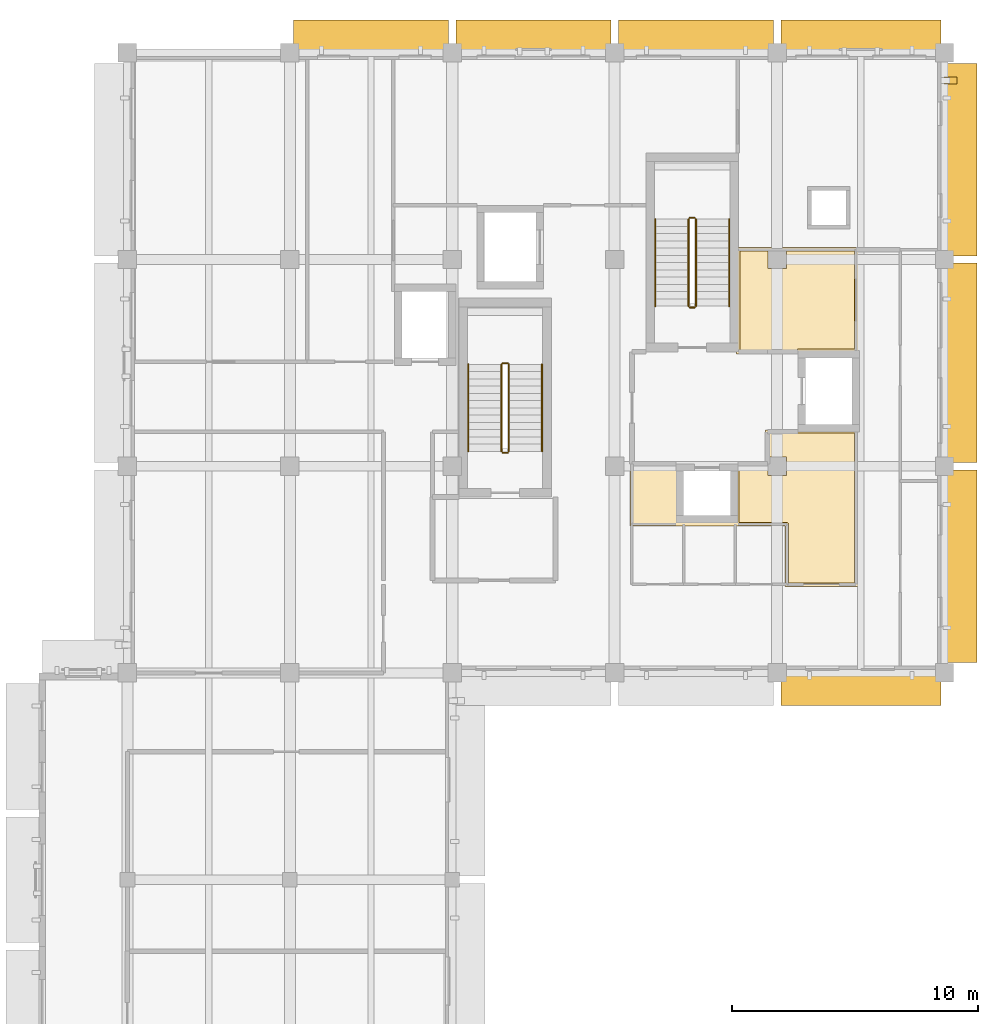
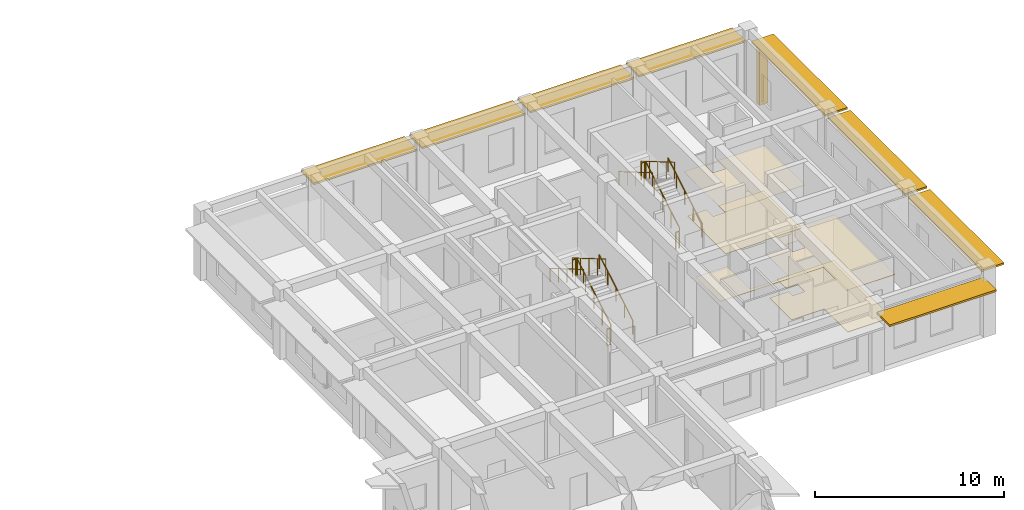
# One storey, part 20 of 20: 12 railings, 9 shading devices, 4 coverings.
"""IFC4 building model written with IfcOpenShell, lengths in metres."""

import ifcopenshell
import ifcopenshell.guid

model = None  # the IFC model being written
_history = None  # IfcOwnerHistory: only IFC2X3 demands one
_inside = {}  # id of a spatial element -> (the spatial element, [elements in it])
_under = {}  # id of a project, library or spatial element -> (it, [spatial elements below it])
_declared = {}  # id of a project -> (the project, [libraries it declares])
_typed = {}  # id of a type object -> (the type object, [elements of that type])
_made_of = {}  # id of a material, layer set ... -> (it, [elements and type objects made of it])


def new_model(schema):
    """Start an empty IFC model of exactly this schema.

    Asked for "IFC4X3", IfcOpenShell would pick the latest addendum, in which some entities
    have other attributes; the version numbers below select the first issue.
    IFC2X3 requires an IfcOwnerHistory on every rooted entity: one is made here for all.
    """
    global model, _history
    if schema == "IFC4X3":
        model = ifcopenshell.file(schema_version=(4, 3, 0, 0))
    else:
        model = ifcopenshell.file(schema=schema)
    _inside.clear()
    _under.clear()
    _declared.clear()
    _typed.clear()
    _made_of.clear()
    _history = None
    if model.schema == "IFC2X3":
        org = make("IfcOrganization", Name="unknown")
        user = make(
            "IfcPersonAndOrganization",
            ThePerson=make("IfcPerson", FamilyName="unknown"),
            TheOrganization=org,
        )
        app = make(
            "IfcApplication",
            ApplicationDeveloper=org,
            Version="unknown",
            ApplicationFullName="unknown",
            ApplicationIdentifier="unknown",
        )
        _history = make(
            "IfcOwnerHistory",
            OwningUser=user,
            OwningApplication=app,
            ChangeAction="ADDED",
            CreationDate=0,
        )
    return model


def make(cls, **values):
    """One entity of the class cls with the attributes given. An attribute that is None is left unset."""
    return model.create_entity(
        cls, **{name: value for name, value in values.items() if value is not None}
    )


def rooted(cls, **values):
    """An entity with a GlobalId (a new one), such as an element, a storey or a relation."""
    return make(cls, GlobalId=ifcopenshell.guid.new(), OwnerHistory=_history, **values)


def si_unit(unit_type, name, prefix=None):
    """IfcSIUnit, for example si_unit("LENGTHUNIT", "METRE", prefix="MILLI")."""
    return make("IfcSIUnit", UnitType=unit_type, Prefix=prefix, Name=name)


def assignment(units):
    """IfcUnitAssignment: the units of a project."""
    return None if units is None else make("IfcUnitAssignment", Units=units)


def point(xyz):
    """IfcCartesianPoint."""
    return None if xyz is None else make("IfcCartesianPoint", Coordinates=xyz)


def direction(xyz):
    """IfcDirection."""
    return None if xyz is None else make("IfcDirection", DirectionRatios=xyz)


def frame(location, z_axis=None, x_axis=None):
    """IfcAxis2Placement3D, a coordinate frame: its origin and axes. An axis left out is left unset."""
    return make(
        "IfcAxis2Placement3D",
        Location=point(location),
        Axis=direction(z_axis),
        RefDirection=direction(x_axis),
    )


def frame_2d(location, x_axis=None):
    """IfcAxis2Placement2D, a coordinate frame in the plane: its origin and x axis."""
    return make(
        "IfcAxis2Placement2D", Location=point(location), RefDirection=direction(x_axis)
    )


def origin():
    """The frame at (0, 0, 0) with its axes left unset."""
    return frame((0.0, 0.0, 0.0))


def origin_2d():
    """The frame at (0, 0) in the plane with its x axis left unset."""
    return frame_2d((0.0, 0.0))


def place(relative_to, where):
    """IfcLocalPlacement: puts the frame where relative to a parent placement (None: the world)."""
    return make(
        "IfcLocalPlacement", PlacementRelTo=relative_to, RelativePlacement=where
    )


def context(
    kind, dimensions, precision=None, world=None, true_north=None, identifier=None
):
    """IfcGeometricRepresentationContext, for example the 3D "Model" context."""
    return make(
        "IfcGeometricRepresentationContext",
        ContextIdentifier=identifier,
        ContextType=kind,
        CoordinateSpaceDimension=dimensions,
        Precision=precision,
        WorldCoordinateSystem=world,
        TrueNorth=true_north,
    )


def subcontext(parent, identifier, kind, view, scale=None):
    """IfcGeometricRepresentationSubContext, for example "Body" below "Model"."""
    return make(
        "IfcGeometricRepresentationSubContext",
        ContextIdentifier=identifier,
        ContextType=kind,
        ParentContext=parent,
        TargetScale=scale,
        TargetView=view,
    )


def project(units=None, contexts=None):
    """IfcProject with its units and contexts."""
    return rooted(
        "IfcProject",
        Name="project",
        RepresentationContexts=contexts,
        UnitsInContext=assignment(units),
    )


def spatial(cls, under=None, at=None, **own):
    """A site, building, storey or space (cls), placed at a placement, below another one or the project."""
    s = rooted(cls, ObjectPlacement=at, **own)
    if under is not None:
        _under.setdefault(under.id(), (under, []))[1].append(s)
    return s


def polyline(points):
    """IfcPolyline through the points."""
    return make("IfcPolyline", Points=[point(p) for p in points])


def profile(cls, at=None, kind="AREA", **sizes):
    """A parametric profile (cls). Its sizes go by their IFC names, for example OverallWidth=200.0."""
    return make(cls, ProfileType=kind, Position=at, **sizes)


def rectangle(**sizes):
    """IfcRectangleProfileDef."""
    return profile("IfcRectangleProfileDef", **sizes)


def circle(**sizes):
    """IfcCircleProfileDef."""
    return profile("IfcCircleProfileDef", **sizes)


def outline(outer, holes=None, kind="AREA"):
    """IfcArbitraryClosedProfileDef: a profile drawn as a closed curve; with holes, ...WithVoids."""
    if holes is None:
        return make("IfcArbitraryClosedProfileDef", ProfileType=kind, OuterCurve=outer)
    return make(
        "IfcArbitraryProfileDefWithVoids",
        ProfileType=kind,
        OuterCurve=outer,
        InnerCurves=holes,
    )


def extrude(swept, where, along, depth):
    """IfcExtrudedAreaSolid: the profile swept, set in the frame where, extruded along a direction by depth."""
    return make(
        "IfcExtrudedAreaSolid",
        SweptArea=swept,
        Position=where,
        ExtrudedDirection=direction(along),
        Depth=depth,
    )


def shape(context_of_items, identifier, shape_type, items):
    """IfcShapeRepresentation: the items that make up one representation, for example the "Body"."""
    return make(
        "IfcShapeRepresentation",
        ContextOfItems=context_of_items,
        RepresentationIdentifier=identifier,
        RepresentationType=shape_type,
        Items=items,
    )


def material(Name=None, Category=None):
    """IfcMaterial."""
    return make("IfcMaterial", Name=Name, Category=Category)


def layer(
    of_material, thickness, ventilated=None, Name=None, Category=None, Priority=None
):
    """IfcMaterialLayer: one layer of a wall or slab, of a material (None: an air gap)."""
    return make(
        "IfcMaterialLayer",
        Material=of_material,
        LayerThickness=thickness,
        IsVentilated=ventilated,
        Name=Name,
        Category=Category,
        Priority=Priority,
    )


def layer_set(layers, Name=None):
    """IfcMaterialLayerSet."""
    return make("IfcMaterialLayerSet", MaterialLayers=layers, LayerSetName=Name)


def made_of(thing, what):
    """Note that an element or type object is made of a material, layer set ...; save() writes the relation."""
    if what is not None:
        _made_of.setdefault(what.id(), (what, []))[1].append(thing)
    return thing


def type_object(cls, material=None, **own):
    """A type object (cls), such as IfcWallType, which elements share."""
    return made_of(rooted(cls, **own), material)


def element(
    cls,
    number,
    at=None,
    inside=None,
    cuts=None,
    type_object=None,
    material=None,
    context=None,
    identifier="Body",
    shape_type=None,
    held_by="IfcProductDefinitionShape",
    body=None,
    shapes=None,
    **own,
):
    """One element of the class cls, such as IfcWall. Its Tag is "e" and its number.

    at: its placement. inside: the storey or other place that contains it. cuts: it is an
    opening in that element (IfcRelVoidsElement). A single representation is given by context,
    identifier, shape_type and body (its items); several are given by shapes. held_by: the class
    of the entity that holds the representations. save() writes the other relations.
    """
    e = rooted(cls, Tag="e%d" % number, ObjectPlacement=at, **own)
    if body is not None:
        shapes = [shape(context, identifier, shape_type, body)]
    if shapes is not None:
        e.Representation = make(held_by, Representations=shapes)
    if inside is not None:
        _inside.setdefault(inside.id(), (inside, []))[1].append(e)
    if cuts is not None:
        rooted(
            "IfcRelVoidsElement", RelatingBuildingElement=cuts, RelatedOpeningElement=e
        )
    if type_object is not None:
        _typed.setdefault(type_object.id(), (type_object, []))[1].append(e)
    return made_of(e, material)


def aggregate(whole, parts):
    """IfcRelAggregates: a whole, such as a stair, and the parts it consists of."""
    return rooted("IfcRelAggregates", RelatingObject=whole, RelatedObjects=parts)


def save(model, path):
    """Write the relations noted so far, then the file.

    IfcRelAggregates (storeys below a building ...), IfcRelContainedInSpatialStructure (elements
    in a storey), IfcRelDefinesByType, IfcRelAssociatesMaterial and IfcRelDeclares: one each for
    every whole, place, type object, material and project.
    """
    for whole, parts in _under.values():
        aggregate(whole, parts)
    for where, things in _inside.values():
        rooted(
            "IfcRelContainedInSpatialStructure",
            RelatedElements=things,
            RelatingStructure=where,
        )
    for kind, things in _typed.values():
        rooted("IfcRelDefinesByType", RelatedObjects=things, RelatingType=kind)
    for what, things in _made_of.values():
        rooted("IfcRelAssociatesMaterial", RelatedObjects=things, RelatingMaterial=what)
    for by, libraries in _declared.values():
        rooted("IfcRelDeclares", RelatingContext=by, RelatedDefinitions=libraries)
    model.write(path)


model = new_model("IFC4")

# Units and contexts
model_context = context("Model", 3, precision=1e-05, world=origin(), true_north=direction((0.0, 1.0)))
body_context = subcontext(model_context, "Body", "Model", "MODEL_VIEW")
ifc_project = project(units=[si_unit("LENGTHUNIT", "METRE"), si_unit("AREAUNIT", "SQUARE_METRE"), si_unit("VOLUMEUNIT", "CUBIC_METRE"), si_unit("PLANEANGLEUNIT", "RADIAN"), si_unit("MASSUNIT", "GRAM", prefix="KILO")], contexts=[model_context])

# Site, building, storey
site_placement = place(None, origin())
site = spatial("IfcSite", under=ifc_project, at=site_placement, CompositionType="ELEMENT")
building_placement = place(site_placement, origin())
building = spatial("IfcBuilding", under=site, at=building_placement, Name="Kolvaren Faculty of Natural Sciences", CompositionType="ELEMENT")
storey_placement = place(building_placement, frame((0.0, 0.0, 24.0)))
storey = spatial("IfcBuildingStorey", under=building, at=storey_placement, Name="L05", CompositionType="ELEMENT", Elevation=24.0)

# Coverings
ifc_material_1 = material(Name="Perforated mineral-fibre acoustic suspended ceiling tile")
ifc_layer_1 = layer(ifc_material_1, 0.02490234375)
ifc_layer_set_1 = layer_set([ifc_layer_1], Name="Perforated mineral-fibre acoustic suspended ceiling tile")
covering_type_1 = type_object("IfcCoveringType", Name="AcousticSuspendedCeiling_25", PredefinedType="CEILING", material=ifc_layer_set_1)
covering_1_placement = place(storey_placement, frame((0.0, 0.0, 2.824951171875)))
element("IfcCovering", 1, at=covering_1_placement, inside=storey, type_object=covering_type_1, Name="L05 Precision Specimen Store acoustic ceiling", PredefinedType="CEILING", context=body_context, shape_type="SweptSolid", body=[
    extrude(outline(polyline([(165.52001953125, 62.52001953125), (165.52001953125, 64.969970703125), (159.219970703125, 64.969970703125), (159.219970703125, 67.580078125), (161.179931640625, 67.580078125), (161.179931640625, 65.179931640625), (163.52001953125, 65.179931640625), (163.52001953125, 67.580078125), (164.719970703125, 67.580078125), (164.719970703125, 68.8798828125), (168.47998046875, 68.8798828125), (168.47998046875, 62.52001953125), (165.52001953125, 62.52001953125)]), holes=[polyline([(164.824951171875, 67.02490234375), (165.574951171875, 67.02490234375), (165.574951171875, 67.77490234375), (164.824951171875, 67.77490234375), (164.824951171875, 67.02490234375)])]), origin(), (0.0, 0.0, 1.0), 0.025146484375),
])
covering_2_placement = place(storey_placement, frame((0.0, 0.0, 2.824951171875)))
element("IfcCovering", 2, at=covering_2_placement, inside=storey, type_object=covering_type_1, Name="L05 L05 Reagent and Cryo-Specimen Store acoustic ceiling", PredefinedType="CEILING", context=body_context, shape_type="SweptSolid", body=[
    extrude(outline(polyline([(163.544921875, 71.969970703125), (163.544921875, 76.280029296875), (168.47998046875, 76.280029296875), (168.47998046875, 72.02001953125), (166.1298828125, 72.02001953125), (166.1298828125, 71.969970703125), (163.544921875, 71.969970703125)]), holes=[polyline([(164.824951171875, 75.425048828125), (165.574951171875, 75.425048828125), (165.574951171875, 76.175048828125), (164.824951171875, 76.175048828125), (164.824951171875, 75.425048828125)])]), origin(), (0.0, 0.0, 1.0), 0.025146484375),
])

# Shading devices
ifc_material_2 = material(Name="Precast concrete C35/45", Category="concrete")
ifc_layer_2 = layer(ifc_material_2, 0.1201171875)
ifc_layer_set_2 = layer_set([ifc_layer_2], Name="Precast concrete C35/45")
shading_device_type_1 = type_object("IfcShadingDeviceType", Name="ChhajjaSolarHood_1350", PredefinedType="AWNING", material=ifc_layer_set_2)
for number, where, z_axis, x_axis, name in (
    (3, (148.699951171875, 84.85498046875, 3.494873046875), (0.0, 0.0, 1.0), (1.0, 0.0, 0.0), "L05 precast sandstone chhajja solar hood 142"),
    (4, (155.300048828125, 84.85498046875, 3.494873046875), (0.0, 0.0, 1.0), (1.0, 0.0, 0.0), "L05 precast sandstone chhajja solar hood 143"),
    (5, (161.89990234375, 84.85498046875, 3.494873046875), (0.0, 0.0, 1.0), (1.0, 0.0, 0.0), "L05 precast sandstone chhajja solar hood 144"),
):
    element("IfcShadingDevice", number, at=place(storey_placement, frame(where, z_axis=z_axis, x_axis=x_axis)), inside=storey, type_object=shading_device_type_1, Name=name, PredefinedType="AWNING", context=body_context, shape_type="SweptSolid", body=[
        extrude(rectangle(XDim=6.300048828125, YDim=1.35009765625, at=origin_2d()), origin(), (0.0, 0.0, 1.0), 0.1201171875),
    ])
shading_device_1_placement = place(storey_placement, frame((168.60009765625, 84.85498046875, 3.494873046875), z_axis=(0.0, 0.0, 1.0), x_axis=(1.0, 0.0, 0.0)))
element("IfcShadingDevice", 6, at=shading_device_1_placement, inside=storey, type_object=shading_device_type_1, Name="L05 precast sandstone chhajja solar hood 145", PredefinedType="AWNING", context=body_context, shape_type="SweptSolid", body=[
    extrude(rectangle(XDim=6.5, YDim=1.35009765625, at=origin_2d()), origin(), (0.0, 0.0, 1.0), 0.1201171875),
])
shading_device_2_placement = place(storey_placement, frame((172.655029296875, 79.860107421875, 3.64501953125), z_axis=(0.0, 0.0, 1.0), x_axis=(0.0, -1.0, 0.0)))
element("IfcShadingDevice", 7, at=shading_device_2_placement, inside=storey, type_object=shading_device_type_1, Name="L05 precast sandstone chhajja solar hood 146", PredefinedType="AWNING", context=body_context, shape_type="SweptSolid", body=[
    extrude(rectangle(XDim=7.820068359375, YDim=1.35009765625, at=origin_2d()), origin(), (0.0, 0.0, 1.0), 0.1201171875),
])
shading_device_3_placement = place(storey_placement, frame((172.655029296875, 71.60009765625, 3.64501953125), z_axis=(0.0, 0.0, 1.0), x_axis=(0.0, -1.0, 0.0)))
element("IfcShadingDevice", 8, at=shading_device_3_placement, inside=storey, type_object=shading_device_type_1, Name="L05 precast sandstone chhajja solar hood 147", PredefinedType="AWNING", context=body_context, shape_type="SweptSolid", body=[
    extrude(rectangle(XDim=8.10009765625, YDim=1.35009765625, at=origin_2d()), origin(), (0.0, 0.0, 1.0), 0.1201171875),
])
shading_device_4_placement = place(storey_placement, frame((172.655029296875, 63.340087890625, 3.64501953125), z_axis=(0.0, 0.0, 1.0), x_axis=(0.0, -1.0, 0.0)))
element("IfcShadingDevice", 9, at=shading_device_4_placement, inside=storey, type_object=shading_device_type_1, Name="L05 precast sandstone chhajja solar hood 148", PredefinedType="AWNING", context=body_context, shape_type="SweptSolid", body=[
    extrude(rectangle(XDim=7.820068359375, YDim=1.35009765625, at=origin_2d()), origin(), (0.0, 0.0, 1.0), 0.1201171875),
])
shading_device_5_placement = place(storey_placement, frame((168.60009765625, 58.344970703125, 3.494873046875), z_axis=(0.0, 0.0, 1.0), x_axis=(-1.0, 0.0, 0.0)))
element("IfcShadingDevice", 10, at=shading_device_5_placement, inside=storey, type_object=shading_device_type_1, Name="L05 precast sandstone chhajja solar hood 149", PredefinedType="AWNING", context=body_context, shape_type="SweptSolid", body=[
    extrude(rectangle(XDim=6.5, YDim=1.35009765625, at=origin_2d()), origin(), (0.0, 0.0, 1.0), 0.1201171875),
])
ifc_layer_3 = layer(ifc_material_2, 0.280029296875)
ifc_layer_set_3 = layer_set([ifc_layer_3], Name="Precast concrete C35/45")
shading_device_type_2 = type_object("IfcShadingDeviceType", Name="FacadeReliefFin_280x520", PredefinedType="USERDEFINED", material=ifc_layer_set_3)
shading_device_6_placement = place(storey_placement, frame((172.239990234375, 83.070068359375, 0.1201171875), z_axis=(0.0, 0.0, 1.0), x_axis=(0.0, -1.0, 0.0)))
element("IfcShadingDevice", 11, at=shading_device_6_placement, inside=storey, type_object=shading_device_type_2, Name="L05 projecting sandstone facade relief fin 17", ObjectType="FIN", PredefinedType="USERDEFINED", context=body_context, shape_type="SweptSolid", body=[
    extrude(rectangle(XDim=0.280029296875, YDim=0.52001953125, at=origin_2d()), origin(), (0.0, 0.0, 1.0), 3.60498046875),
])

# Railings
ifc_material_3 = material(Name="Structural steel EN 10210-1 S355J2H", Category="steel")
ifc_layer_4 = layer(ifc_material_3, 0.048095703125)
ifc_layer_set_4 = layer_set([ifc_layer_4], Name="Structural steel EN 10210-1 S355J2H")
railing_type_1 = type_object("IfcRailingType", Name="StairPitchHandrail_920", PredefinedType="HANDRAIL", material=ifc_layer_set_4)
railing_1_placement = place(storey_placement, frame((163.25, 73.89990234375, 0.173095703125)))
element("IfcRailing", 12, at=railing_1_placement, inside=storey, type_object=railing_type_1, Name="L05 ST-1 stair handrail 1", PredefinedType="HANDRAIL", context=body_context, shape_type="SweptSolid", body=[
    extrude(circle(Radius=0.02392578125, at=origin_2d()), frame((0.0, 0.0, 0.8759765625), z_axis=(0.0, 0.862516251723, 0.506029362304), x_axis=(-1.0, 0.0, 0.0)), (0.0, 0.0, 1.0), 4.104248046875),
    extrude(circle(Radius=0.02099609375, at=origin_2d()), origin(), (0.0, 0.0, 1.0), 0.851806640625),
    extrude(circle(Radius=0.02099609375, at=origin_2d()), frame((0.0, 0.885009765625, 0.519287109375)), (0.0, 0.0, 1.0), 0.851806640625),
    extrude(circle(Radius=0.02099609375, at=origin_2d()), frame((0.0, 1.77001953125, 1.03857421875)), (0.0, 0.0, 1.0), 0.851806640625),
    extrude(circle(Radius=0.02099609375, at=origin_2d()), frame((0.0, 2.655029296875, 1.5576171875)), (0.0, 0.0, 1.0), 0.851806640625),
    extrude(circle(Radius=0.02099609375, at=origin_2d()), frame((0.0, 3.5400390625, 2.076904296875)), (0.0, 0.0, 1.0), 0.851806640625),
])
railing_2_placement = place(storey_placement, frame((160.25, 77.43994140625, 2.423095703125)))
element("IfcRailing", 13, at=railing_2_placement, inside=storey, type_object=railing_type_1, Name="L05 ST-1 stair handrail 2", PredefinedType="HANDRAIL", context=body_context, shape_type="SweptSolid", body=[
    extrude(circle(Radius=0.02392578125, at=origin_2d()), frame((0.0, 0.0, 0.8759765625), z_axis=(0.0, -0.862516251723, 0.506029362304), x_axis=(1.0, 0.0, 0.0)), (0.0, 0.0, 1.0), 4.104248046875),
    extrude(circle(Radius=0.02099609375, at=origin_2d()), origin(), (0.0, 0.0, 1.0), 0.851806640625),
    extrude(circle(Radius=0.02099609375, at=origin_2d()), frame((0.0, -0.885009765625, 0.519287109375)), (0.0, 0.0, 1.0), 0.851806640625),
    extrude(circle(Radius=0.02099609375, at=origin_2d()), frame((0.0, -1.77001953125, 1.03857421875)), (0.0, 0.0, 1.0), 0.851806640625),
    extrude(circle(Radius=0.02099609375, at=origin_2d()), frame((0.0, -2.655029296875, 1.5576171875)), (0.0, 0.0, 1.0), 0.851806640625),
    extrude(circle(Radius=0.02099609375, at=origin_2d()), frame((0.0, -3.5400390625, 2.076904296875)), (0.0, 0.0, 1.0), 0.851806640625),
])
railing_3_placement = place(storey_placement, frame((155.64990234375, 68.0, 0.173095703125)))
element("IfcRailing", 14, at=railing_3_placement, inside=storey, type_object=railing_type_1, Name="L05 ST-2 stair handrail 1", PredefinedType="HANDRAIL", context=body_context, shape_type="SweptSolid", body=[
    extrude(circle(Radius=0.02392578125, at=origin_2d()), frame((0.0, 0.0, 0.8759765625), z_axis=(0.0, 0.862516251723, 0.506029362304), x_axis=(-1.0, 0.0, 0.0)), (0.0, 0.0, 1.0), 4.104248046875),
    extrude(circle(Radius=0.02099609375, at=origin_2d()), origin(), (0.0, 0.0, 1.0), 0.851806640625),
    extrude(circle(Radius=0.02099609375, at=origin_2d()), frame((0.0, 0.885009765625, 0.519287109375)), (0.0, 0.0, 1.0), 0.851806640625),
    extrude(circle(Radius=0.02099609375, at=origin_2d()), frame((0.0, 1.77001953125, 1.03857421875)), (0.0, 0.0, 1.0), 0.851806640625),
    extrude(circle(Radius=0.02099609375, at=origin_2d()), frame((0.0, 2.655029296875, 1.5576171875)), (0.0, 0.0, 1.0), 0.851806640625),
    extrude(circle(Radius=0.02099609375, at=origin_2d()), frame((0.0, 3.5400390625, 2.076904296875)), (0.0, 0.0, 1.0), 0.851806640625),
])
railing_4_placement = place(storey_placement, frame((152.64990234375, 71.5400390625, 2.423095703125)))
element("IfcRailing", 15, at=railing_4_placement, inside=storey, type_object=railing_type_1, Name="L05 ST-2 stair handrail 2", PredefinedType="HANDRAIL", context=body_context, shape_type="SweptSolid", body=[
    extrude(circle(Radius=0.02392578125, at=origin_2d()), frame((0.0, 0.0, 0.8759765625), z_axis=(0.0, -0.862516251723, 0.506029362304), x_axis=(1.0, 0.0, 0.0)), (0.0, 0.0, 1.0), 4.104248046875),
    extrude(circle(Radius=0.02099609375, at=origin_2d()), origin(), (0.0, 0.0, 1.0), 0.851806640625),
    extrude(circle(Radius=0.02099609375, at=origin_2d()), frame((0.0, -0.885009765625, 0.519287109375)), (0.0, 0.0, 1.0), 0.851806640625),
    extrude(circle(Radius=0.02099609375, at=origin_2d()), frame((0.0, -1.77001953125, 1.03857421875)), (0.0, 0.0, 1.0), 0.851806640625),
    extrude(circle(Radius=0.02099609375, at=origin_2d()), frame((0.0, -2.655029296875, 1.5576171875)), (0.0, 0.0, 1.0), 0.851806640625),
    extrude(circle(Radius=0.02099609375, at=origin_2d()), frame((0.0, -3.5400390625, 2.076904296875)), (0.0, 0.0, 1.0), 0.851806640625),
])
ifc_layer_5 = layer(ifc_material_3, 0.048095703125)
ifc_layer_set_5 = layer_set([ifc_layer_5], Name="Structural steel EN 10210-1 S355J2H")
railing_type_2 = type_object("IfcRailingType", Name="StairWellGuard_1100", PredefinedType="BALUSTRADE", material=ifc_layer_set_5)
railing_5_placement = place(storey_placement, frame((161.89990234375, 73.89990234375, 0.173095703125)))
element("IfcRailing", 16, at=railing_5_placement, inside=storey, type_object=railing_type_2, Name="L05 ST-1 stair guard 1", PredefinedType="BALUSTRADE", context=body_context, shape_type="SweptSolid", body=[
    extrude(circle(Radius=0.02392578125, at=origin_2d()), frame((0.0, 0.0, 1.076171875), z_axis=(0.0, 0.862516251723, 0.506029362304), x_axis=(-1.0, 0.0, 0.0)), (0.0, 0.0, 1.0), 4.104248046875),
    extrude(circle(Radius=0.02099609375, at=origin_2d()), origin(), (0.0, 0.0, 1.0), 1.052001953125),
    extrude(circle(Radius=0.02099609375, at=origin_2d()), frame((0.0, 0.885009765625, 0.519287109375)), (0.0, 0.0, 1.0), 1.052001953125),
    extrude(circle(Radius=0.02099609375, at=origin_2d()), frame((0.0, 1.77001953125, 1.03857421875)), (0.0, 0.0, 1.0), 1.052001953125),
    extrude(circle(Radius=0.02099609375, at=origin_2d()), frame((0.0, 2.655029296875, 1.5576171875)), (0.0, 0.0, 1.0), 1.052001953125),
    extrude(circle(Radius=0.02099609375, at=origin_2d()), frame((0.0, 3.5400390625, 2.076904296875)), (0.0, 0.0, 1.0), 1.052001953125),
])
railing_6_placement = place(storey_placement, frame((161.85009765625, 77.489990234375, 2.25)))
element("IfcRailing", 17, at=railing_6_placement, inside=storey, type_object=railing_type_2, Name="L05 ST-1 stair guard 2", PredefinedType="BALUSTRADE", context=body_context, shape_type="SweptSolid", body=[
    extrude(circle(Radius=0.02392578125, at=origin_2d()), frame((0.0, 0.0, 1.076171875), z_axis=(-1.0, 0.0, 0.0), x_axis=(0.0, -1.0, 0.0)), (0.0, 0.0, 1.0), 0.2001953125),
    extrude(circle(Radius=0.02099609375, at=origin_2d()), origin(), (0.0, 0.0, 1.0), 1.052001953125),
    extrude(circle(Radius=0.02099609375, at=origin_2d()), frame((-0.2001953125, 0.0, 0.0)), (0.0, 0.0, 1.0), 1.052001953125),
])
railing_7_placement = place(storey_placement, frame((161.60009765625, 77.43994140625, 2.423095703125)))
element("IfcRailing", 18, at=railing_7_placement, inside=storey, type_object=railing_type_2, Name="L05 ST-1 stair guard 3", PredefinedType="BALUSTRADE", context=body_context, shape_type="SweptSolid", body=[
    extrude(circle(Radius=0.02392578125, at=origin_2d()), frame((0.0, 0.0, 1.076171875), z_axis=(0.0, -0.862516251723, 0.506029362304), x_axis=(1.0, 0.0, 0.0)), (0.0, 0.0, 1.0), 4.104248046875),
    extrude(circle(Radius=0.02099609375, at=origin_2d()), origin(), (0.0, 0.0, 1.0), 1.052001953125),
    extrude(circle(Radius=0.02099609375, at=origin_2d()), frame((0.0, -0.885009765625, 0.519287109375)), (0.0, 0.0, 1.0), 1.052001953125),
    extrude(circle(Radius=0.02099609375, at=origin_2d()), frame((0.0, -1.77001953125, 1.03857421875)), (0.0, 0.0, 1.0), 1.052001953125),
    extrude(circle(Radius=0.02099609375, at=origin_2d()), frame((0.0, -2.655029296875, 1.5576171875)), (0.0, 0.0, 1.0), 1.052001953125),
    extrude(circle(Radius=0.02099609375, at=origin_2d()), frame((0.0, -3.5400390625, 2.076904296875)), (0.0, 0.0, 1.0), 1.052001953125),
])
railing_8_placement = place(storey_placement, frame((161.85009765625, 73.85009765625, 0.0)))
element("IfcRailing", 19, at=railing_8_placement, inside=storey, type_object=railing_type_2, Name="L05 ST-1 stair guard 4", PredefinedType="BALUSTRADE", context=body_context, shape_type="SweptSolid", body=[
    extrude(circle(Radius=0.02392578125, at=origin_2d()), frame((0.0, 0.0, 1.076171875), z_axis=(-1.0, 0.0, 0.0), x_axis=(0.0, -1.0, 0.0)), (0.0, 0.0, 1.0), 0.2001953125),
    extrude(circle(Radius=0.02099609375, at=origin_2d()), origin(), (0.0, 0.0, 1.0), 1.052001953125),
    extrude(circle(Radius=0.02099609375, at=origin_2d()), frame((-0.2001953125, 0.0, 0.0)), (0.0, 0.0, 1.0), 1.052001953125),
])
railing_9_placement = place(storey_placement, frame((154.300048828125, 68.0, 0.173095703125)))
element("IfcRailing", 20, at=railing_9_placement, inside=storey, type_object=railing_type_2, Name="L05 ST-2 stair guard 1", PredefinedType="BALUSTRADE", context=body_context, shape_type="SweptSolid", body=[
    extrude(circle(Radius=0.02392578125, at=origin_2d()), frame((0.0, 0.0, 1.076171875), z_axis=(0.0, 0.862516251723, 0.506029362304), x_axis=(-1.0, 0.0, 0.0)), (0.0, 0.0, 1.0), 4.104248046875),
    extrude(circle(Radius=0.02099609375, at=origin_2d()), origin(), (0.0, 0.0, 1.0), 1.052001953125),
    extrude(circle(Radius=0.02099609375, at=origin_2d()), frame((0.0, 0.885009765625, 0.519287109375)), (0.0, 0.0, 1.0), 1.052001953125),
    extrude(circle(Radius=0.02099609375, at=origin_2d()), frame((0.0, 1.77001953125, 1.03857421875)), (0.0, 0.0, 1.0), 1.052001953125),
    extrude(circle(Radius=0.02099609375, at=origin_2d()), frame((0.0, 2.655029296875, 1.5576171875)), (0.0, 0.0, 1.0), 1.052001953125),
    extrude(circle(Radius=0.02099609375, at=origin_2d()), frame((0.0, 3.5400390625, 2.076904296875)), (0.0, 0.0, 1.0), 1.052001953125),
])
railing_10_placement = place(storey_placement, frame((154.25, 71.590087890625, 2.25)))
element("IfcRailing", 21, at=railing_10_placement, inside=storey, type_object=railing_type_2, Name="L05 ST-2 stair guard 2", PredefinedType="BALUSTRADE", context=body_context, shape_type="SweptSolid", body=[
    extrude(circle(Radius=0.02392578125, at=origin_2d()), frame((0.0, 0.0, 1.076171875), z_axis=(-1.0, 0.0, 0.0), x_axis=(0.0, -1.0, 0.0)), (0.0, 0.0, 1.0), 0.199951171875),
    extrude(circle(Radius=0.02099609375, at=origin_2d()), origin(), (0.0, 0.0, 1.0), 1.052001953125),
    extrude(circle(Radius=0.02099609375, at=origin_2d()), frame((-0.199951171875, 0.0, 0.0)), (0.0, 0.0, 1.0), 1.052001953125),
])
railing_11_placement = place(storey_placement, frame((154.0, 71.5400390625, 2.423095703125)))
element("IfcRailing", 22, at=railing_11_placement, inside=storey, type_object=railing_type_2, Name="L05 ST-2 stair guard 3", PredefinedType="BALUSTRADE", context=body_context, shape_type="SweptSolid", body=[
    extrude(circle(Radius=0.02392578125, at=origin_2d()), frame((0.0, 0.0, 1.076171875), z_axis=(0.0, -0.862516251723, 0.506029362304), x_axis=(1.0, 0.0, 0.0)), (0.0, 0.0, 1.0), 4.104248046875),
    extrude(circle(Radius=0.02099609375, at=origin_2d()), origin(), (0.0, 0.0, 1.0), 1.052001953125),
    extrude(circle(Radius=0.02099609375, at=origin_2d()), frame((0.0, -0.885009765625, 0.519287109375)), (0.0, 0.0, 1.0), 1.052001953125),
    extrude(circle(Radius=0.02099609375, at=origin_2d()), frame((0.0, -1.77001953125, 1.03857421875)), (0.0, 0.0, 1.0), 1.052001953125),
    extrude(circle(Radius=0.02099609375, at=origin_2d()), frame((0.0, -2.655029296875, 1.5576171875)), (0.0, 0.0, 1.0), 1.052001953125),
    extrude(circle(Radius=0.02099609375, at=origin_2d()), frame((0.0, -3.5400390625, 2.076904296875)), (0.0, 0.0, 1.0), 1.052001953125),
])
railing_12_placement = place(storey_placement, frame((154.25, 67.949951171875, 0.0)))
element("IfcRailing", 23, at=railing_12_placement, inside=storey, type_object=railing_type_2, Name="L05 ST-2 stair guard 4", PredefinedType="BALUSTRADE", context=body_context, shape_type="SweptSolid", body=[
    extrude(circle(Radius=0.02392578125, at=origin_2d()), frame((0.0, 0.0, 1.076171875), z_axis=(-1.0, 0.0, 0.0), x_axis=(0.0, -1.0, 0.0)), (0.0, 0.0, 1.0), 0.199951171875),
    extrude(circle(Radius=0.02099609375, at=origin_2d()), origin(), (0.0, 0.0, 1.0), 1.052001953125),
    extrude(circle(Radius=0.02099609375, at=origin_2d()), frame((-0.199951171875, 0.0, 0.0)), (0.0, 0.0, 1.0), 1.052001953125),
])

# Coverings
ifc_material_4 = material(Name="Polished Uruguayan grey granite terrazzo flooring", Category="masonry")
ifc_layer_6 = layer(ifc_material_4, 0.030029296875)
ifc_layer_set_6 = layer_set([ifc_layer_6], Name="Polished Uruguayan grey granite terrazzo flooring")
covering_type_2 = type_object("IfcCoveringType", Name="TerrazzoFloorFinish_30", PredefinedType="FLOORING", material=ifc_layer_set_6)
covering_3_placement = place(storey_placement, origin())
element("IfcCovering", 24, at=covering_3_placement, inside=storey, type_object=covering_type_2, Name="L05 Precision Specimen Store floor finish", PredefinedType="FLOORING", context=body_context, shape_type="SweptSolid", body=[
    extrude(outline(polyline([(163.659912109375, 67.43994140625), (164.800048828125, 67.43994140625), (164.805908203125, 67.440185546875), (164.811767578125, 67.441162109375), (164.8173828125, 67.442626953125), (164.822998046875, 67.444580078125), (164.824951171875, 67.445556640625), (164.824951171875, 67.02490234375), (165.574951171875, 67.02490234375), (165.574951171875, 67.77490234375), (164.860107421875, 67.77490234375), (164.860107421875, 68.739990234375), (168.340087890625, 68.739990234375), (168.340087890625, 62.659912109375), (165.659912109375, 62.659912109375), (165.659912109375, 65.050048828125), (165.65966796875, 65.055908203125), (165.65869140625, 65.061767578125), (165.657470703125, 65.0673828125), (165.655517578125, 65.072998046875), (165.65283203125, 65.078369140625), (165.64990234375, 65.083251953125), (165.646484375, 65.088134765625), (165.642333984375, 65.09228515625), (165.63818359375, 65.096435546875), (165.63330078125, 65.099853515625), (165.62841796875, 65.102783203125), (165.623046875, 65.10546875), (165.617431640625, 65.107421875), (165.61181640625, 65.10888671875), (165.60595703125, 65.109619140625), (165.60009765625, 65.110107421875), (163.659912109375, 65.110107421875), (163.659912109375, 67.43994140625)])), origin(), (0.0, 0.0, 1.0), 0.030029296875),
])
covering_4_placement = place(storey_placement, origin())
element("IfcCovering", 25, at=covering_4_placement, inside=storey, type_object=covering_type_2, Name="L05 L05 Reagent and Cryo-Specimen Store floor finish", PredefinedType="FLOORING", context=body_context, shape_type="SweptSolid", body=[
    extrude(outline(polyline([(163.68505859375, 72.110107421875), (163.68505859375, 76.139892578125), (164.824951171875, 76.139892578125), (164.824951171875, 75.425048828125), (165.574951171875, 75.425048828125), (165.574951171875, 76.139892578125), (168.340087890625, 76.139892578125), (168.340087890625, 72.159912109375), (166.050048828125, 72.159912109375), (166.044189453125, 72.15966796875), (166.038330078125, 72.15869140625), (166.03271484375, 72.157470703125), (166.027099609375, 72.155517578125), (166.021728515625, 72.15283203125), (166.0166015625, 72.14990234375), (166.011962890625, 72.146484375), (166.007568359375, 72.142333984375), (166.003662109375, 72.13818359375), (166.0, 72.13330078125), (165.9970703125, 72.12841796875), (165.99462890625, 72.123046875), (165.99267578125, 72.117431640625), (165.9912109375, 72.11181640625), (165.990966796875, 72.110107421875), (163.68505859375, 72.110107421875)])), origin(), (0.0, 0.0, 1.0), 0.030029296875),
])

save(model, "model.ifc")
